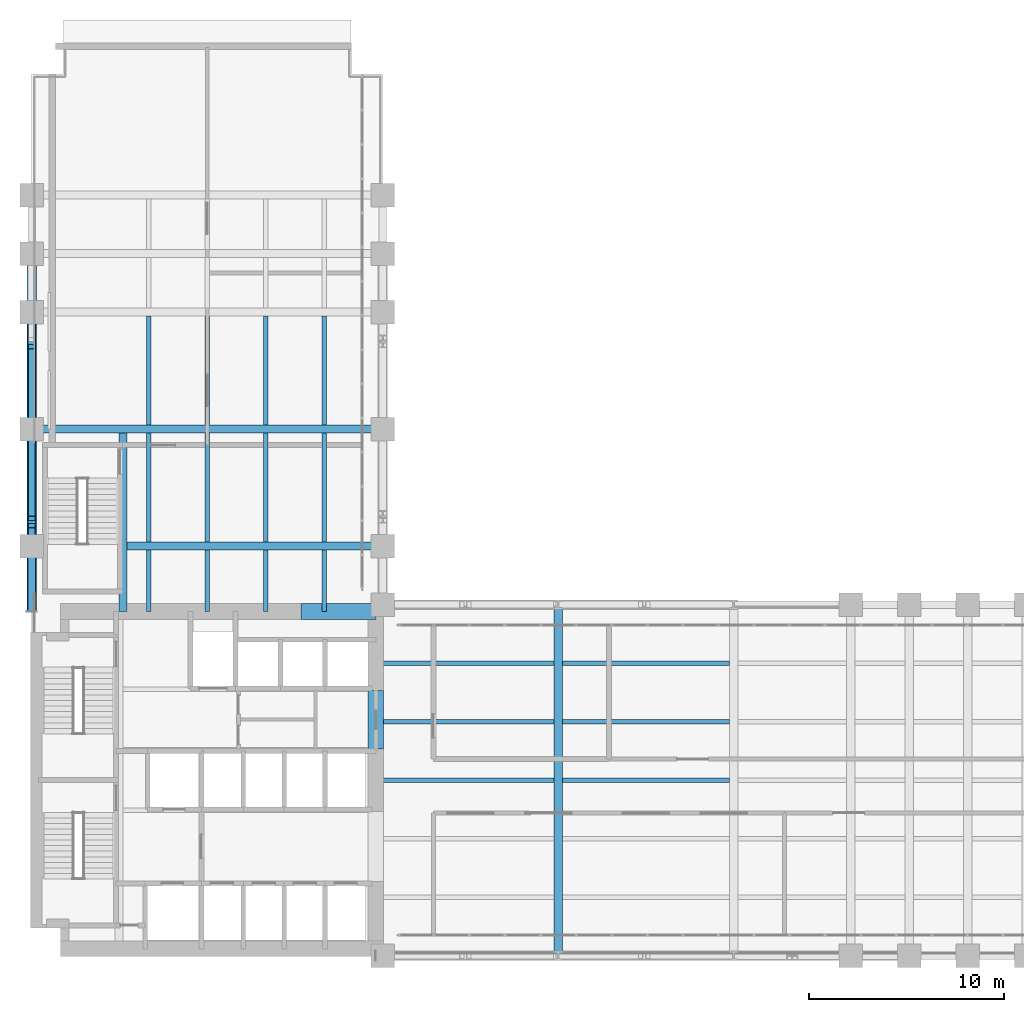
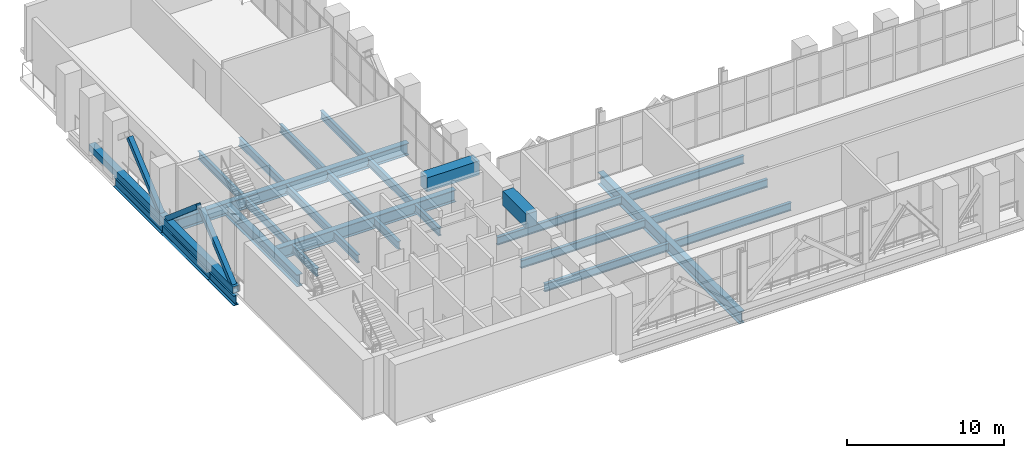
# One storey, part 5 of 27: 27 beams, 4 members.
"""IFC4 building model written with IfcOpenShell, lengths in metres."""

from ifc_helpers import new_model, si_unit, direction, frame, origin, origin_2d, place, context, subcontext, project, spatial, rectangle, hollow_rectangle, i_section, extrude, material, material_profile, profile_set, type_object, element, save


model = new_model("IFC4")

# Units and contexts
model_context = context("Model", 3, precision=1e-05, world=origin(), true_north=direction((0.0, 1.0)))
body_context = subcontext(model_context, "Body", "Model", "MODEL_VIEW")
ifc_project = project(units=[si_unit("LENGTHUNIT", "METRE"), si_unit("AREAUNIT", "SQUARE_METRE"), si_unit("VOLUMEUNIT", "CUBIC_METRE"), si_unit("PLANEANGLEUNIT", "RADIAN"), si_unit("MASSUNIT", "GRAM", prefix="KILO")], contexts=[model_context])

# Site, building, storey
site_placement = place(None, origin())
site = spatial("IfcSite", under=ifc_project, at=site_placement, CompositionType="ELEMENT")
building_placement = place(site_placement, origin())
building = spatial("IfcBuilding", under=site, at=building_placement, Name="Mawjdan Bourse Tower", CompositionType="ELEMENT")
storey_placement = place(building_placement, frame((0.0, 0.0, 84.60009765625)))
storey = spatial("IfcBuildingStorey", under=building, at=storey_placement, Name="L19", CompositionType="ELEMENT", Elevation=84.60009765625)

# Members
ifc_material_1 = material(Name="Structural Steel S460", Category="steel")
ifc_material_profile_1 = material_profile(ifc_material_1, hollow_rectangle(XDim=0.35009765625, YDim=0.35009765625, WallThickness=0.01611328125, at=origin_2d()), Name="HSS350X350X16")
ifc_profile_set_1 = profile_set([ifc_material_profile_1], Name="Structural Steel S460")
member_type_1 = type_object("IfcMemberType", Name="BRC-HSS350X350X16", PredefinedType="BRACE", material=ifc_profile_set_1)
member_1_placement = place(storey_placement, frame((6.0, 20.83349609375, 0.199951171875), z_axis=(0.0, 0.760829478047, 0.648951851322), x_axis=(-1.0, 0.0, 0.0)))
element("IfcMember", 1, at=member_1_placement, inside=storey, type_object=member_type_1, Name="L19 North Outrigger Truss 1 Diagonal 1", PredefinedType="BRACE", context=body_context, shape_type="SweptSolid", body=[
    extrude(hollow_rectangle(XDim=0.35009765625, YDim=0.35009765625, WallThickness=0.01611328125, at=origin_2d()), origin(), (0.0, 0.0, 1.0), 5.547119140625),
])
member_2_placement = place(storey_placement, frame((6.0, 25.4208984375, 3.7998046875), z_axis=(0.0, 0.760848012119, -0.648930121396), x_axis=(-1.0, 0.0, 0.0)))
element("IfcMember", 2, at=member_2_placement, inside=storey, type_object=member_type_1, Name="L19 North Outrigger Truss 1 Diagonal 2", PredefinedType="BRACE", context=body_context, shape_type="SweptSolid", body=[
    extrude(hollow_rectangle(XDim=0.35009765625, YDim=0.35009765625, WallThickness=0.01611328125, at=origin_2d()), origin(), (0.0, 0.0, 1.0), 5.54736328125),
])
member_3_placement = place(storey_placement, frame((6.0, 30.008544921875, 0.199951171875), z_axis=(0.0, 0.760829478047, 0.648951851322), x_axis=(-1.0, 0.0, 0.0)))
element("IfcMember", 3, at=member_3_placement, inside=storey, type_object=member_type_1, Name="L19 North Outrigger Truss 1 Diagonal 3", PredefinedType="BRACE", context=body_context, shape_type="SweptSolid", body=[
    extrude(hollow_rectangle(XDim=0.35009765625, YDim=0.35009765625, WallThickness=0.01611328125, at=origin_2d()), origin(), (0.0, 0.0, 1.0), 5.547119140625),
])
ifc_material_profile_2 = material_profile(ifc_material_1, hollow_rectangle(XDim=0.5, YDim=0.5, WallThickness=0.02001953125, at=origin_2d()), Name="HSS500X500X20")
ifc_profile_set_2 = profile_set([ifc_material_profile_2], Name="Structural Steel S460")
member_type_2 = type_object("IfcMemberType", Name="CHD-HSS500X500X20", PredefinedType="CHORD", material=ifc_profile_set_2)
member_4_placement = place(storey_placement, frame((6.0, 20.64990234375, 0.199951171875), z_axis=(0.0, 1.0, 0.0), x_axis=(-1.0, 0.0, 0.0)))
element("IfcMember", 4, at=member_4_placement, inside=storey, type_object=member_type_2, Name="L19 North Outrigger Truss 1 Bottom Chord", PredefinedType="CHORD", context=body_context, shape_type="SweptSolid", body=[
    extrude(hollow_rectangle(XDim=0.5, YDim=0.5, WallThickness=0.02001953125, at=origin_2d()), origin(), (0.0, 0.0, 1.0), 18.35009765625),
])

# Beams
ifc_material_profile_3 = material_profile(ifc_material_1, i_section(OverallWidth=0.41796875, OverallDepth=0.927001953125, WebThickness=0.019287109375, FlangeThickness=0.031982421875, FilletRadius=0.025634765625, at=origin_2d()), Name="W36X231")
ifc_profile_set_3 = profile_set([ifc_material_profile_3], Name="Structural Steel S460")
beam_type_1 = type_object("IfcBeamType", Name="GRD-W36X231", PredefinedType="BEAM", material=ifc_profile_set_3)
beam_1_placement = place(storey_placement, frame((33.0, 3.0, -0.74365234375), z_axis=(0.0, 1.0, 0.0), x_axis=(-1.0, 0.0, 0.0)))
element("IfcBeam", 5, at=beam_1_placement, inside=storey, type_object=beam_type_1, Name="L19 East Wing Clear-Span Girder 002", PredefinedType="BEAM", context=body_context, shape_type="SweptSolid", body=[
    extrude(i_section(OverallWidth=0.41796875, OverallDepth=0.927001953125, WebThickness=0.019287109375, FlangeThickness=0.031982421875, FilletRadius=0.025634765625, at=origin_2d()), origin(), (0.0, 0.0, 1.0), 18.0),
])
beam_2_placement = place(storey_placement, frame((10.679931640625, 20.64990234375, -0.74365234375), z_axis=(0.0, 1.0, 0.0), x_axis=(-1.0, 0.0, 0.0)))
element("IfcBeam", 6, at=beam_2_placement, inside=storey, type_object=beam_type_1, Name="L19 North Wing Stair Trimmer Girder 062", PredefinedType="BEAM", context=body_context, shape_type="SweptSolid", body=[
    extrude(i_section(OverallWidth=0.41796875, OverallDepth=0.927001953125, WebThickness=0.019287109375, FlangeThickness=0.031982421875, FilletRadius=0.025634765625, at=origin_2d()), origin(), (0.0, 0.0, 1.0), 9.14306640625),
])
beam_3_placement = place(storey_placement, frame((10.886962890625, 24.0, -0.74365234375), z_axis=(1.0, 0.0, 0.0), x_axis=(0.0, 1.0, 0.0)))
element("IfcBeam", 7, at=beam_3_placement, inside=storey, type_object=beam_type_1, Name="L19 North Wing Clear-Span Girder 063", PredefinedType="BEAM", context=body_context, shape_type="SweptSolid", body=[
    extrude(i_section(OverallWidth=0.41796875, OverallDepth=0.927001953125, WebThickness=0.019287109375, FlangeThickness=0.031982421875, FilletRadius=0.025634765625, at=origin_2d()), origin(), (0.0, 0.0, 1.0), 13.113037109375),
])
beam_4_placement = place(storey_placement, frame((6.0, 30.0, -0.74365234375), z_axis=(1.0, 0.0, 0.0), x_axis=(0.0, 1.0, 0.0)))
element("IfcBeam", 8, at=beam_4_placement, inside=storey, type_object=beam_type_1, Name="L19 North Wing Clear-Span Girder 064", PredefinedType="BEAM", context=body_context, shape_type="SweptSolid", body=[
    extrude(i_section(OverallWidth=0.41796875, OverallDepth=0.927001953125, WebThickness=0.019287109375, FlangeThickness=0.031982421875, FilletRadius=0.025634765625, at=origin_2d()), origin(), (0.0, 0.0, 1.0), 18.0),
])
ifc_material_2 = material(Name="Structural Steel S355", Category="steel")
ifc_material_profile_4 = material_profile(ifc_material_2, i_section(OverallWidth=0.22998046875, OverallDepth=0.616943359375, WebThickness=0.01318359375, FlangeThickness=0.022216796875, FilletRadius=0.017822265625, at=origin_2d()), Name="W24X94")
ifc_profile_set_4 = profile_set([ifc_material_profile_4], Name="Structural Steel S355")
beam_type_2 = type_object("IfcBeamType", Name="JST-W24X94", PredefinedType="JOIST", material=ifc_profile_set_4)
beam_5_placement = place(storey_placement, frame((23.64990234375, 12.0, -0.588623046875), z_axis=(1.0, 0.0, 0.0), x_axis=(0.0, 1.0, 0.0)))
element("IfcBeam", 9, at=beam_5_placement, inside=storey, type_object=beam_type_2, Name="L19 East Wing Composite Joist 037", PredefinedType="JOIST", context=body_context, shape_type="SweptSolid", body=[
    extrude(i_section(OverallWidth=0.22998046875, OverallDepth=0.616943359375, WebThickness=0.01318359375, FlangeThickness=0.022216796875, FilletRadius=0.017822265625, at=origin_2d()), origin(), (0.0, 0.0, 1.0), 9.14306640625),
])
beam_6_placement = place(storey_placement, frame((33.20703125, 12.0, -0.588623046875), z_axis=(1.0, 0.0, 0.0), x_axis=(0.0, 1.0, 0.0)))
element("IfcBeam", 10, at=beam_6_placement, inside=storey, type_object=beam_type_2, Name="L19 East Wing Composite Joist 038", PredefinedType="JOIST", context=body_context, shape_type="SweptSolid", body=[
    extrude(i_section(OverallWidth=0.22998046875, OverallDepth=0.616943359375, WebThickness=0.01318359375, FlangeThickness=0.022216796875, FilletRadius=0.017822265625, at=origin_2d()), origin(), (0.0, 0.0, 1.0), 8.5859375),
])
beam_7_placement = place(storey_placement, frame((23.64990234375, 15.0, -0.588623046875), z_axis=(1.0, 0.0, 0.0), x_axis=(0.0, 1.0, 0.0)))
element("IfcBeam", 11, at=beam_7_placement, inside=storey, type_object=beam_type_2, Name="L19 East Wing Composite Joist 044", PredefinedType="JOIST", context=body_context, shape_type="SweptSolid", body=[
    extrude(i_section(OverallWidth=0.22998046875, OverallDepth=0.616943359375, WebThickness=0.01318359375, FlangeThickness=0.022216796875, FilletRadius=0.017822265625, at=origin_2d()), origin(), (0.0, 0.0, 1.0), 9.14306640625),
])
beam_8_placement = place(storey_placement, frame((33.20703125, 15.0, -0.588623046875), z_axis=(1.0, 0.0, 0.0), x_axis=(0.0, 1.0, 0.0)))
element("IfcBeam", 12, at=beam_8_placement, inside=storey, type_object=beam_type_2, Name="L19 East Wing Composite Joist 045", PredefinedType="JOIST", context=body_context, shape_type="SweptSolid", body=[
    extrude(i_section(OverallWidth=0.22998046875, OverallDepth=0.616943359375, WebThickness=0.01318359375, FlangeThickness=0.022216796875, FilletRadius=0.017822265625, at=origin_2d()), origin(), (0.0, 0.0, 1.0), 8.5859375),
])
beam_9_placement = place(storey_placement, frame((23.64990234375, 18.0, -0.588623046875), z_axis=(1.0, 0.0, 0.0), x_axis=(0.0, 1.0, 0.0)))
element("IfcBeam", 13, at=beam_9_placement, inside=storey, type_object=beam_type_2, Name="L19 East Wing Composite Joist 051", PredefinedType="JOIST", context=body_context, shape_type="SweptSolid", body=[
    extrude(i_section(OverallWidth=0.22998046875, OverallDepth=0.616943359375, WebThickness=0.01318359375, FlangeThickness=0.022216796875, FilletRadius=0.017822265625, at=origin_2d()), origin(), (0.0, 0.0, 1.0), 9.14306640625),
])
beam_10_placement = place(storey_placement, frame((33.20703125, 18.0, -0.588623046875), z_axis=(1.0, 0.0, 0.0), x_axis=(0.0, 1.0, 0.0)))
element("IfcBeam", 14, at=beam_10_placement, inside=storey, type_object=beam_type_2, Name="L19 East Wing Composite Joist 052", PredefinedType="JOIST", context=body_context, shape_type="SweptSolid", body=[
    extrude(i_section(OverallWidth=0.22998046875, OverallDepth=0.616943359375, WebThickness=0.01318359375, FlangeThickness=0.022216796875, FilletRadius=0.017822265625, at=origin_2d()), origin(), (0.0, 0.0, 1.0), 8.5859375),
])
beam_11_placement = place(storey_placement, frame((12.0, 20.64990234375, -0.588623046875), z_axis=(0.0, 1.0, 0.0), x_axis=(-1.0, 0.0, 0.0)))
element("IfcBeam", 15, at=beam_11_placement, inside=storey, type_object=beam_type_2, Name="L19 North Wing Composite Joist 078", PredefinedType="JOIST", context=body_context, shape_type="SweptSolid", body=[
    extrude(i_section(OverallWidth=0.22998046875, OverallDepth=0.616943359375, WebThickness=0.01318359375, FlangeThickness=0.022216796875, FilletRadius=0.017822265625, at=origin_2d()), origin(), (0.0, 0.0, 1.0), 3.14306640625),
])
for number, where, z_axis, x_axis, name in (
    (16, (12.0, 24.20703125, -0.588623046875), (0.0, 1.0, 0.0), (-1.0, 0.0, 0.0), "L19 North Wing Composite Joist 079"),
    (17, (12.0, 30.20703125, -0.588623046875), (0.0, 1.0, 0.0), (-1.0, 0.0, 0.0), "L19 North Wing Composite Joist 080"),
):
    element("IfcBeam", number, at=place(storey_placement, frame(where, z_axis=z_axis, x_axis=x_axis)), inside=storey, type_object=beam_type_2, Name=name, PredefinedType="JOIST", context=body_context, shape_type="SweptSolid", body=[
        extrude(i_section(OverallWidth=0.22998046875, OverallDepth=0.616943359375, WebThickness=0.01318359375, FlangeThickness=0.022216796875, FilletRadius=0.017822265625, at=origin_2d()), origin(), (0.0, 0.0, 1.0), 5.5859375),
    ])
beam_12_placement = place(storey_placement, frame((15.0, 20.64990234375, -0.588623046875), z_axis=(0.0, 1.0, 0.0), x_axis=(-1.0, 0.0, 0.0)))
element("IfcBeam", 18, at=beam_12_placement, inside=storey, type_object=beam_type_2, Name="L19 North Wing Composite Joist 083", PredefinedType="JOIST", context=body_context, shape_type="SweptSolid", body=[
    extrude(i_section(OverallWidth=0.22998046875, OverallDepth=0.616943359375, WebThickness=0.01318359375, FlangeThickness=0.022216796875, FilletRadius=0.017822265625, at=origin_2d()), origin(), (0.0, 0.0, 1.0), 3.14306640625),
])
for number, where, z_axis, x_axis, name in (
    (19, (15.0, 24.20703125, -0.588623046875), (0.0, 1.0, 0.0), (-1.0, 0.0, 0.0), "L19 North Wing Composite Joist 084"),
    (20, (15.0, 30.20703125, -0.588623046875), (0.0, 1.0, 0.0), (-1.0, 0.0, 0.0), "L19 North Wing Composite Joist 085"),
):
    element("IfcBeam", number, at=place(storey_placement, frame(where, z_axis=z_axis, x_axis=x_axis)), inside=storey, type_object=beam_type_2, Name=name, PredefinedType="JOIST", context=body_context, shape_type="SweptSolid", body=[
        extrude(i_section(OverallWidth=0.22998046875, OverallDepth=0.616943359375, WebThickness=0.01318359375, FlangeThickness=0.022216796875, FilletRadius=0.017822265625, at=origin_2d()), origin(), (0.0, 0.0, 1.0), 5.5859375),
    ])
beam_13_placement = place(storey_placement, frame((18.0, 20.64990234375, -0.588623046875), z_axis=(0.0, 1.0, 0.0), x_axis=(-1.0, 0.0, 0.0)))
element("IfcBeam", 21, at=beam_13_placement, inside=storey, type_object=beam_type_2, Name="L19 North Wing Composite Joist 088", PredefinedType="JOIST", context=body_context, shape_type="SweptSolid", body=[
    extrude(i_section(OverallWidth=0.22998046875, OverallDepth=0.616943359375, WebThickness=0.01318359375, FlangeThickness=0.022216796875, FilletRadius=0.017822265625, at=origin_2d()), origin(), (0.0, 0.0, 1.0), 3.14306640625),
])
for number, where, z_axis, x_axis, name in (
    (22, (18.0, 24.20703125, -0.588623046875), (0.0, 1.0, 0.0), (-1.0, 0.0, 0.0), "L19 North Wing Composite Joist 089"),
    (23, (18.0, 30.20703125, -0.588623046875), (0.0, 1.0, 0.0), (-1.0, 0.0, 0.0), "L19 North Wing Composite Joist 090"),
):
    element("IfcBeam", number, at=place(storey_placement, frame(where, z_axis=z_axis, x_axis=x_axis)), inside=storey, type_object=beam_type_2, Name=name, PredefinedType="JOIST", context=body_context, shape_type="SweptSolid", body=[
        extrude(i_section(OverallWidth=0.22998046875, OverallDepth=0.616943359375, WebThickness=0.01318359375, FlangeThickness=0.022216796875, FilletRadius=0.017822265625, at=origin_2d()), origin(), (0.0, 0.0, 1.0), 5.5859375),
    ])
beam_14_placement = place(storey_placement, frame((21.0, 20.64990234375, -0.588623046875), z_axis=(0.0, 1.0, 0.0), x_axis=(-1.0, 0.0, 0.0)))
element("IfcBeam", 24, at=beam_14_placement, inside=storey, type_object=beam_type_2, Name="L19 North Wing Composite Joist 093", PredefinedType="JOIST", context=body_context, shape_type="SweptSolid", body=[
    extrude(i_section(OverallWidth=0.22998046875, OverallDepth=0.616943359375, WebThickness=0.01318359375, FlangeThickness=0.022216796875, FilletRadius=0.017822265625, at=origin_2d()), origin(), (0.0, 0.0, 1.0), 3.14306640625),
])
for number, where, z_axis, x_axis, name in (
    (25, (21.0, 24.20703125, -0.588623046875), (0.0, 1.0, 0.0), (-1.0, 0.0, 0.0), "L19 North Wing Composite Joist 094"),
    (26, (21.0, 30.20703125, -0.588623046875), (0.0, 1.0, 0.0), (-1.0, 0.0, 0.0), "L19 North Wing Composite Joist 095"),
):
    element("IfcBeam", number, at=place(storey_placement, frame(where, z_axis=z_axis, x_axis=x_axis)), inside=storey, type_object=beam_type_2, Name=name, PredefinedType="JOIST", context=body_context, shape_type="SweptSolid", body=[
        extrude(i_section(OverallWidth=0.22998046875, OverallDepth=0.616943359375, WebThickness=0.01318359375, FlangeThickness=0.022216796875, FilletRadius=0.017822265625, at=origin_2d()), origin(), (0.0, 0.0, 1.0), 5.5859375),
    ])
ifc_material_3 = material(Name="Concrete C70/85", Category="concrete")
ifc_material_profile_5 = material_profile(ifc_material_3, rectangle(XDim=0.800048828125, YDim=1.10009765625, at=origin_2d()), Name="RCB800X1100")
ifc_profile_set_5 = profile_set([ifc_material_profile_5], Name="Concrete C70/85")
beam_type_3 = type_object("IfcBeamType", Name="LNT-RCB800X1100", PredefinedType="LINTEL", material=ifc_profile_set_5)
beam_15_placement = place(storey_placement, frame((23.64990234375, 13.60009765625, 3.699951171875), z_axis=(0.0, 1.0, 0.0), x_axis=(-1.0, 0.0, 0.0)))
element("IfcBeam", 27, at=beam_15_placement, inside=storey, type_object=beam_type_3, Name="L19 Coupled Core Lintel CB-E2", PredefinedType="LINTEL", context=body_context, shape_type="SweptSolid", body=[
    extrude(rectangle(XDim=0.800048828125, YDim=1.10009765625, at=origin_2d()), origin(), (0.0, 0.0, 1.0), 3.0),
])
beam_16_placement = place(storey_placement, frame((19.800048828125, 20.64990234375, 3.699951171875), z_axis=(1.0, 0.0, 0.0), x_axis=(0.0, 1.0, 0.0)))
element("IfcBeam", 28, at=beam_16_placement, inside=storey, type_object=beam_type_3, Name="L19 Coupled Core Lintel CB-N1", PredefinedType="LINTEL", context=body_context, shape_type="SweptSolid", body=[
    extrude(rectangle(XDim=0.800048828125, YDim=1.10009765625, at=origin_2d()), origin(), (0.0, 0.0, 1.0), 3.849853515625),
])
ifc_material_profile_6 = material_profile(ifc_material_2, i_section(OverallWidth=0.381103515625, OverallDepth=0.77294921875, WebThickness=0.0166015625, FlangeThickness=0.027099609375, FilletRadius=0.021728515625, at=origin_2d()), Name="W30X173")
ifc_profile_set_6 = profile_set([ifc_material_profile_6], Name="Structural Steel S355")
beam_type_4 = type_object("IfcBeamType", Name="SPN-W30X173", PredefinedType="SPANDREL", material=ifc_profile_set_6)
beam_17_placement = place(storey_placement, frame((6.0, 20.64990234375, -0.66650390625), z_axis=(0.0, 1.0, 0.0), x_axis=(-1.0, 0.0, 0.0)))
element("IfcBeam", 29, at=beam_17_placement, inside=storey, type_object=beam_type_4, Name="L19 North Wing Spandrel 068", PredefinedType="SPANDREL", context=body_context, shape_type="SweptSolid", body=[
    extrude(i_section(OverallWidth=0.381103515625, OverallDepth=0.77294921875, WebThickness=0.0166015625, FlangeThickness=0.027099609375, FilletRadius=0.021728515625, at=origin_2d()), origin(), (0.0, 0.0, 1.0), 3.35009765625),
])
for number, where, z_axis, x_axis, name in (
    (30, (6.0, 24.0, -0.66650390625), (0.0, 1.0, 0.0), (-1.0, 0.0, 0.0), "L19 North Wing Spandrel 069"),
    (31, (6.0, 30.0, -0.66650390625), (0.0, 1.0, 0.0), (-1.0, 0.0, 0.0), "L19 North Wing Spandrel 070"),
):
    element("IfcBeam", number, at=place(storey_placement, frame(where, z_axis=z_axis, x_axis=x_axis)), inside=storey, type_object=beam_type_4, Name=name, PredefinedType="SPANDREL", context=body_context, shape_type="SweptSolid", body=[
        extrude(i_section(OverallWidth=0.381103515625, OverallDepth=0.77294921875, WebThickness=0.0166015625, FlangeThickness=0.027099609375, FilletRadius=0.021728515625, at=origin_2d()), origin(), (0.0, 0.0, 1.0), 6.0),
    ])

save(model, "model.ifc")
